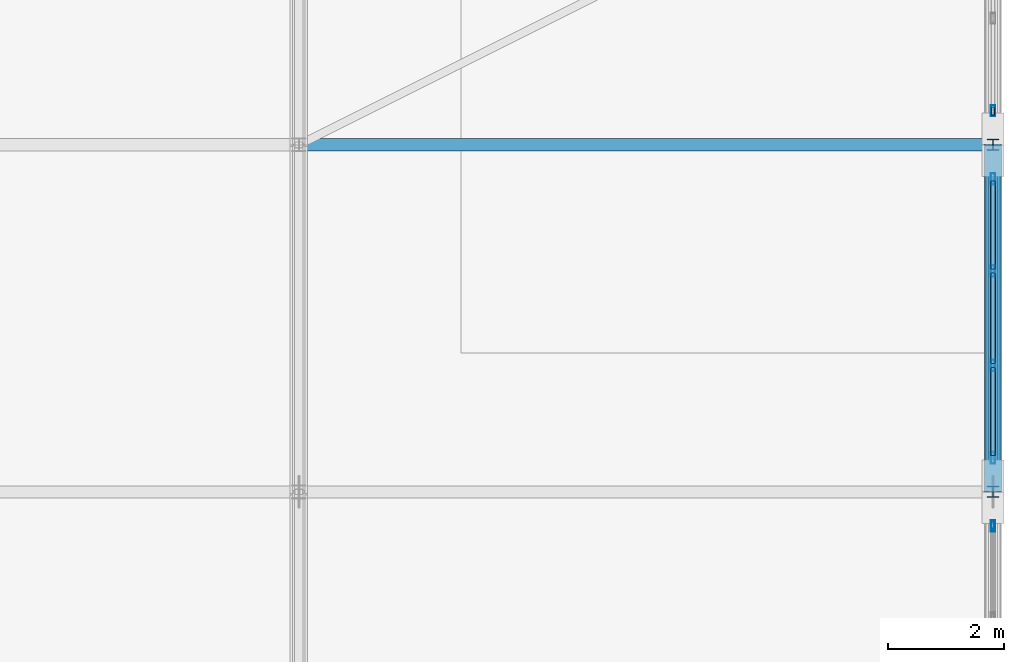
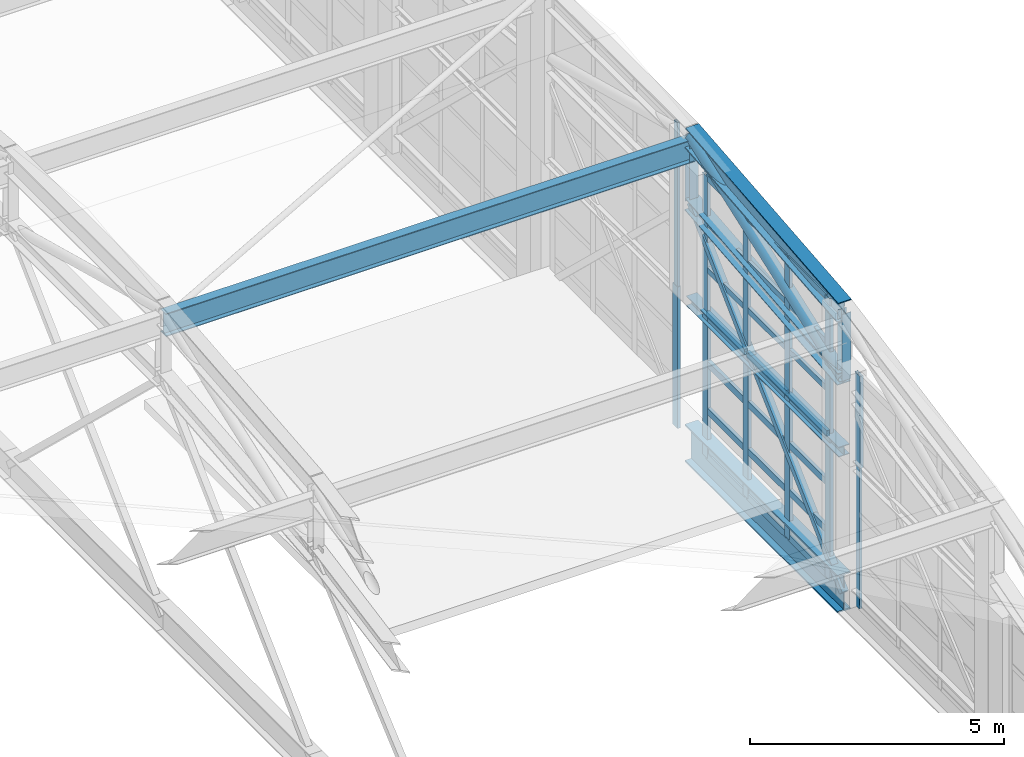
# One storey, part 134 of 204: 45 members, 6 elements without a shape of their own.
"""IFC4 building model written with IfcOpenShell, lengths in metres."""

from ifc_helpers import new_model, si_unit, direction, frame, origin, origin_2d, place, context, subcontext, project, spatial, hollow_rectangle, hollow_circle, i_section, extrude, material, layer, layer_set, material_profile, profile_set, type_object, element, aggregate, save


model = new_model("IFC4")

# Units and contexts
model_context = context("Model", 3, precision=1e-05, world=origin(), true_north=direction((0.0, 1.0)))
body_context = subcontext(model_context, "Body", "Model", "MODEL_VIEW")
ifc_project = project(units=[si_unit("LENGTHUNIT", "METRE"), si_unit("AREAUNIT", "SQUARE_METRE"), si_unit("VOLUMEUNIT", "CUBIC_METRE"), si_unit("PLANEANGLEUNIT", "RADIAN"), si_unit("MASSUNIT", "GRAM", prefix="KILO")], contexts=[model_context])

# Site, building, storey
site_placement = place(None, origin())
site = spatial("IfcSite", under=ifc_project, at=site_placement, CompositionType="ELEMENT")
building_placement = place(site_placement, origin())
building = spatial("IfcBuilding", under=site, at=building_placement, Name="Zilviju Railside Exhibition Hall", CompositionType="ELEMENT")
storey_placement = place(building_placement, frame((0.0, 0.0, 21.0)))
storey = spatial("IfcBuildingStorey", under=building, at=storey_placement, Name="RF", CompositionType="ELEMENT", Elevation=21.0)

# Curtain wall, member
ifc_material_1 = material(Name="Thermally broken aluminium-steel triple-glazed curtain wall", Category="steel")
ifc_layer_1 = layer(ifc_material_1, 0.179931640625)
ifc_layer_set_1 = layer_set([ifc_layer_1], Name="Thermally broken aluminium-steel triple-glazed curtain wall")
curtain_wall_type_1 = type_object("IfcCurtainWallType", Name="CW-BAY-04", PredefinedType="USERDEFINED", material=ifc_layer_set_1)
curtain_wall_1_placement = place(storey_placement, origin())
curtain_wall_1 = element("IfcCurtainWall", 1, at=curtain_wall_1_placement, inside=storey, type_object=curtain_wall_type_1, Name="North Hall Crown Arch Tympanum Glazing East P5", ObjectType="GLAZED CURTAIN WALL", PredefinedType="USERDEFINED")
ifc_material_2 = material(Name="Thermally broken anodized aluminium mullion", Category="aluminium")
ifc_material_profile_1 = material_profile(ifc_material_2, hollow_rectangle(XDim=0.054931640625, YDim=0.1298828125, WallThickness=0.0048828125, at=origin_2d()), Name="MULLION 130x55x5")
ifc_profile_set_1 = profile_set([ifc_material_profile_1], Name="Thermally broken anodized aluminium mullion")
member_type_1 = type_object("IfcMemberType", Name="CWM-55x130", PredefinedType="MULLION", material=ifc_profile_set_1)
member_1_placement = place(storey_placement, frame((216.0, 108.577392578125, -0.199951171875), z_axis=(0.0, 0.0, 1.0), x_axis=(1.0, 0.0, 0.0)))
member_1 = element("IfcMember", 2, at=member_1_placement, type_object=member_type_1, Name="CW-04 mullion 4", PredefinedType="MULLION", context=body_context, shape_type="SweptSolid", body=[
    extrude(hollow_rectangle(XDim=0.054931640625, YDim=0.1298828125, WallThickness=0.0048828125, at=origin_2d()), origin(), (0.0, 0.0, 1.0), 3.928466796875),
])
aggregate(curtain_wall_1, [member_1])

ifc_layer_2 = layer(ifc_material_1, 0.179931640625)
ifc_layer_set_2 = layer_set([ifc_layer_2], Name="Thermally broken aluminium-steel triple-glazed curtain wall")
curtain_wall_type_2 = type_object("IfcCurtainWallType", Name="CW-BAY-15", PredefinedType="USERDEFINED", material=ifc_layer_set_2)
curtain_wall_2_placement = place(storey_placement, origin())
curtain_wall_2 = element("IfcCurtainWall", 3, at=curtain_wall_2_placement, inside=storey, type_object=curtain_wall_type_2, Name="North Hall Arch Lower Tympanum Glazing East P3", ObjectType="GLAZED CURTAIN WALL", PredefinedType="USERDEFINED")
ifc_material_profile_2 = material_profile(ifc_material_2, hollow_rectangle(XDim=0.06005859375, YDim=0.139892578125, WallThickness=0.0048828125, at=origin_2d()), Name="MULLION 140x60x5")
ifc_profile_set_2 = profile_set([ifc_material_profile_2], Name="Thermally broken anodized aluminium mullion")
member_type_2 = type_object("IfcMemberType", Name="CWM-60x140", PredefinedType="MULLION", material=ifc_profile_set_2)
member_2_placement = place(storey_placement, frame((216.0, 101.419921875, -3.60009765625), z_axis=(0.0, 0.0, 1.0), x_axis=(1.0, 0.0, 0.0)))
member_2 = element("IfcMember", 4, at=member_2_placement, type_object=member_type_2, Name="CW-15 mullion 1", PredefinedType="MULLION", context=body_context, shape_type="SweptSolid", body=[
    extrude(hollow_rectangle(XDim=0.06005859375, YDim=0.139892578125, WallThickness=0.0048828125, at=origin_2d()), origin(), (0.0, 0.0, 1.0), 3.400146484375),
])
aggregate(curtain_wall_2, [member_2])

ifc_layer_3 = layer(ifc_material_1, 0.179931640625)
ifc_layer_set_3 = layer_set([ifc_layer_3], Name="Thermally broken aluminium-steel triple-glazed curtain wall")
curtain_wall_type_3 = type_object("IfcCurtainWallType", Name="CW-BAY-17", PredefinedType="USERDEFINED", material=ifc_layer_set_3)
curtain_wall_3_placement = place(storey_placement, origin())
curtain_wall_3 = element("IfcCurtainWall", 5, at=curtain_wall_3_placement, inside=storey, type_object=curtain_wall_type_3, Name="North Hall Arch Lower Tympanum Glazing East P5", ObjectType="GLAZED CURTAIN WALL", PredefinedType="USERDEFINED")
ifc_material_profile_3 = material_profile(ifc_material_2, hollow_rectangle(XDim=0.074951171875, YDim=0.18994140625, WallThickness=0.0048828125, at=origin_2d()), Name="MULLION 190x75x5")
ifc_profile_set_3 = profile_set([ifc_material_profile_3], Name="Thermally broken anodized aluminium mullion")
member_type_3 = type_object("IfcMemberType", Name="CWM-75x190", PredefinedType="MULLION", material=ifc_profile_set_3)
member_3_placement = place(storey_placement, frame((216.0, 108.58740234375, -3.60009765625), z_axis=(0.0, 0.0, 1.0), x_axis=(1.0, 0.0, 0.0)))
member_3 = element("IfcMember", 6, at=member_3_placement, type_object=member_type_3, Name="CW-17 mullion 4", PredefinedType="MULLION", context=body_context, shape_type="SweptSolid", body=[
    extrude(hollow_rectangle(XDim=0.074951171875, YDim=0.18994140625, WallThickness=0.0048828125, at=origin_2d()), origin(), (0.0, 0.0, 1.0), 3.400146484375),
])
aggregate(curtain_wall_3, [member_3])

# Curtain wall, members
ifc_layer_4 = layer(ifc_material_1, 0.179931640625)
ifc_layer_set_4 = layer_set([ifc_layer_4], Name="Thermally broken aluminium-steel triple-glazed curtain wall")
curtain_wall_type_4 = type_object("IfcCurtainWallType", Name="CW-BAY-03", PredefinedType="USERDEFINED", material=ifc_layer_set_4)
curtain_wall_4_placement = place(storey_placement, origin())
curtain_wall_4 = element("IfcCurtainWall", 7, at=curtain_wall_4_placement, inside=storey, type_object=curtain_wall_type_4, Name="North Hall Crown Arch Tympanum Glazing East P4", ObjectType="GLAZED CURTAIN WALL", PredefinedType="USERDEFINED")
member_4_placement = place(storey_placement, frame((216.0, 107.41259765625, -0.199951171875), z_axis=(0.0, 0.0, 1.0), x_axis=(1.0, 0.0, 0.0)))
member_4 = element("IfcMember", 8, at=member_4_placement, type_object=member_type_3, Name="CW-03 mullion 1", PredefinedType="MULLION", context=body_context, shape_type="SweptSolid", body=[
    extrude(hollow_rectangle(XDim=0.074951171875, YDim=0.18994140625, WallThickness=0.0048828125, at=origin_2d()), origin(), (0.0, 0.0, 1.0), 3.35546875),
])
member_5_placement = place(storey_placement, frame((216.0, 105.816650390625, -0.199951171875), z_axis=(0.0, 0.0, 1.0), x_axis=(1.0, 0.0, 0.0)))
member_5 = element("IfcMember", 9, at=member_5_placement, type_object=member_type_3, Name="CW-03 mullion 2", PredefinedType="MULLION", context=body_context, shape_type="SweptSolid", body=[
    extrude(hollow_rectangle(XDim=0.074951171875, YDim=0.18994140625, WallThickness=0.0048828125, at=origin_2d()), origin(), (0.0, 0.0, 1.0), 3.35546875),
])
member_6_placement = place(storey_placement, frame((216.0, 104.183349609375, -0.199951171875), z_axis=(0.0, 0.0, 1.0), x_axis=(1.0, 0.0, 0.0)))
member_6 = element("IfcMember", 10, at=member_6_placement, type_object=member_type_3, Name="CW-03 mullion 3", PredefinedType="MULLION", context=body_context, shape_type="SweptSolid", body=[
    extrude(hollow_rectangle(XDim=0.074951171875, YDim=0.18994140625, WallThickness=0.0048828125, at=origin_2d()), origin(), (0.0, 0.0, 1.0), 3.35546875),
])
member_7_placement = place(storey_placement, frame((216.0, 102.58740234375, -0.199951171875), z_axis=(0.0, 0.0, 1.0), x_axis=(1.0, 0.0, 0.0)))
member_7 = element("IfcMember", 11, at=member_7_placement, type_object=member_type_3, Name="CW-03 mullion 4", PredefinedType="MULLION", context=body_context, shape_type="SweptSolid", body=[
    extrude(hollow_rectangle(XDim=0.074951171875, YDim=0.18994140625, WallThickness=0.0048828125, at=origin_2d()), origin(), (0.0, 0.0, 1.0), 3.35546875),
])

ifc_layer_5 = layer(ifc_material_1, 0.179931640625)
ifc_layer_set_5 = layer_set([ifc_layer_5], Name="Thermally broken aluminium-steel triple-glazed curtain wall")
curtain_wall_type_5 = type_object("IfcCurtainWallType", Name="CW-BAY-16", PredefinedType="USERDEFINED", material=ifc_layer_set_5)
curtain_wall_5_placement = place(storey_placement, origin())
curtain_wall_5 = element("IfcCurtainWall", 12, at=curtain_wall_5_placement, inside=storey, type_object=curtain_wall_type_5, Name="North Hall Arch Lower Tympanum Glazing East P4", ObjectType="GLAZED CURTAIN WALL", PredefinedType="USERDEFINED")
ifc_material_profile_4 = material_profile(ifc_material_2, hollow_rectangle(XDim=0.080078125, YDim=0.199951171875, WallThickness=0.0048828125, at=origin_2d()), Name="MULLION 200x80x5")
ifc_profile_set_4 = profile_set([ifc_material_profile_4], Name="Thermally broken anodized aluminium mullion")
member_type_4 = type_object("IfcMemberType", Name="CWM-80x200", PredefinedType="MULLION", material=ifc_profile_set_4)
member_8_placement = place(storey_placement, frame((216.0, 107.409912109375, -3.60009765625), z_axis=(0.0, 0.0, 1.0), x_axis=(1.0, 0.0, 0.0)))
member_8 = element("IfcMember", 13, at=member_8_placement, type_object=member_type_4, Name="CW-16 mullion 1", PredefinedType="MULLION", context=body_context, shape_type="SweptSolid", body=[
    extrude(hollow_rectangle(XDim=0.080078125, YDim=0.199951171875, WallThickness=0.0048828125, at=origin_2d()), origin(), (0.0, 0.0, 1.0), 3.400146484375),
])
member_9_placement = place(storey_placement, frame((216.0, 105.816650390625, -3.60009765625), z_axis=(0.0, 0.0, 1.0), x_axis=(1.0, 0.0, 0.0)))
member_9 = element("IfcMember", 14, at=member_9_placement, type_object=member_type_4, Name="CW-16 mullion 2", PredefinedType="MULLION", context=body_context, shape_type="SweptSolid", body=[
    extrude(hollow_rectangle(XDim=0.080078125, YDim=0.199951171875, WallThickness=0.0048828125, at=origin_2d()), origin(), (0.0, 0.0, 1.0), 3.400146484375),
])
member_10_placement = place(storey_placement, frame((216.0, 104.183349609375, -3.60009765625), z_axis=(0.0, 0.0, 1.0), x_axis=(1.0, 0.0, 0.0)))
member_10 = element("IfcMember", 15, at=member_10_placement, type_object=member_type_4, Name="CW-16 mullion 3", PredefinedType="MULLION", context=body_context, shape_type="SweptSolid", body=[
    extrude(hollow_rectangle(XDim=0.080078125, YDim=0.199951171875, WallThickness=0.0048828125, at=origin_2d()), origin(), (0.0, 0.0, 1.0), 3.400146484375),
])
member_11_placement = place(storey_placement, frame((216.0, 102.590087890625, -3.60009765625), z_axis=(0.0, 0.0, 1.0), x_axis=(1.0, 0.0, 0.0)))
member_11 = element("IfcMember", 16, at=member_11_placement, type_object=member_type_4, Name="CW-16 mullion 4", PredefinedType="MULLION", context=body_context, shape_type="SweptSolid", body=[
    extrude(hollow_rectangle(XDim=0.080078125, YDim=0.199951171875, WallThickness=0.0048828125, at=origin_2d()), origin(), (0.0, 0.0, 1.0), 3.400146484375),
])

# Curtain wall, member
ifc_layer_6 = layer(ifc_material_1, 0.179931640625)
ifc_layer_set_6 = layer_set([ifc_layer_6], Name="Thermally broken aluminium-steel triple-glazed curtain wall")
curtain_wall_type_6 = type_object("IfcCurtainWallType", Name="CW-BAY-02", PredefinedType="USERDEFINED", material=ifc_layer_set_6)
curtain_wall_6_placement = place(storey_placement, origin())
curtain_wall_6 = element("IfcCurtainWall", 17, at=curtain_wall_6_placement, inside=storey, type_object=curtain_wall_type_6, Name="North Hall Crown Arch Tympanum Glazing East P3", ObjectType="GLAZED CURTAIN WALL", PredefinedType="USERDEFINED")
member_12_placement = place(storey_placement, frame((216.0, 101.409912109375, -0.199951171875), z_axis=(0.0, 0.0, 1.0), x_axis=(1.0, 0.0, 0.0)))
member_12 = element("IfcMember", 18, at=member_12_placement, type_object=member_type_4, Name="CW-02 mullion 1", PredefinedType="MULLION", context=body_context, shape_type="SweptSolid", body=[
    extrude(hollow_rectangle(XDim=0.080078125, YDim=0.199951171875, WallThickness=0.0048828125, at=origin_2d()), origin(), (0.0, 0.0, 1.0), 2.209716796875),
])
aggregate(curtain_wall_6, [member_12])

# Member
ifc_material_3 = material(Name="Thermally broken anodized aluminium transom", Category="aluminium")
ifc_material_profile_5 = material_profile(ifc_material_3, hollow_rectangle(XDim=0.074951171875, YDim=0.139892578125, WallThickness=0.0048828125, at=origin_2d()), Name="TRANSOM 140x75x5")
ifc_profile_set_5 = profile_set([ifc_material_profile_5], Name="Thermally broken anodized aluminium transom")
member_type_5 = type_object("IfcMemberType", Name="CWT-75x140", PredefinedType="USERDEFINED", material=ifc_profile_set_5)
member_13_placement = place(storey_placement, frame((216.0, 107.375, -0.16259765625), z_axis=(0.0, -1.0, 0.0), x_axis=(1.0, 0.0, 0.0)))
member_13 = element("IfcMember", 19, at=member_13_placement, type_object=member_type_5, Name="CW-03 transom 1.1", ObjectType="TRANSOM", PredefinedType="USERDEFINED", context=body_context, shape_type="SweptSolid", body=[
    extrude(hollow_rectangle(XDim=0.074951171875, YDim=0.139892578125, WallThickness=0.0048828125, at=origin_2d()), origin(), (0.0, 0.0, 1.0), 1.520751953125),
])

member_14_placement = place(storey_placement, frame((216.0, 107.375, 0.9189453125), z_axis=(0.0, -1.0, 0.0), x_axis=(1.0, 0.0, 0.0)))
member_14 = element("IfcMember", 20, at=member_14_placement, type_object=member_type_5, Name="CW-03 transom 1.2", ObjectType="TRANSOM", PredefinedType="USERDEFINED", context=body_context, shape_type="SweptSolid", body=[
    extrude(hollow_rectangle(XDim=0.074951171875, YDim=0.139892578125, WallThickness=0.0048828125, at=origin_2d()), origin(), (0.0, 0.0, 1.0), 1.520751953125),
])

member_15_placement = place(storey_placement, frame((216.0, 107.375, 2.037109375), z_axis=(0.0, -1.0, 0.0), x_axis=(1.0, 0.0, 0.0)))
member_15 = element("IfcMember", 21, at=member_15_placement, type_object=member_type_5, Name="CW-03 transom 1.3", ObjectType="TRANSOM", PredefinedType="USERDEFINED", context=body_context, shape_type="SweptSolid", body=[
    extrude(hollow_rectangle(XDim=0.074951171875, YDim=0.139892578125, WallThickness=0.0048828125, at=origin_2d()), origin(), (0.0, 0.0, 1.0), 1.520751953125),
])

member_16_placement = place(storey_placement, frame((216.0, 107.375, 3.1181640625), z_axis=(0.0, -1.0, 0.0), x_axis=(1.0, 0.0, 0.0)))
member_16 = element("IfcMember", 22, at=member_16_placement, type_object=member_type_5, Name="CW-03 transom 1.4", ObjectType="TRANSOM", PredefinedType="USERDEFINED", context=body_context, shape_type="SweptSolid", body=[
    extrude(hollow_rectangle(XDim=0.074951171875, YDim=0.139892578125, WallThickness=0.0048828125, at=origin_2d()), origin(), (0.0, 0.0, 1.0), 1.520751953125),
])

member_17_placement = place(storey_placement, frame((216.0, 105.779052734375, -0.16259765625), z_axis=(0.0, -1.0, 0.0), x_axis=(1.0, 0.0, 0.0)))
member_17 = element("IfcMember", 23, at=member_17_placement, type_object=member_type_5, Name="CW-03 transom 2.1", ObjectType="TRANSOM", PredefinedType="USERDEFINED", context=body_context, shape_type="SweptSolid", body=[
    extrude(hollow_rectangle(XDim=0.074951171875, YDim=0.139892578125, WallThickness=0.0048828125, at=origin_2d()), origin(), (0.0, 0.0, 1.0), 1.55810546875),
])

member_18_placement = place(storey_placement, frame((216.0, 105.779052734375, 0.9189453125), z_axis=(0.0, -1.0, 0.0), x_axis=(1.0, 0.0, 0.0)))
member_18 = element("IfcMember", 24, at=member_18_placement, type_object=member_type_5, Name="CW-03 transom 2.2", ObjectType="TRANSOM", PredefinedType="USERDEFINED", context=body_context, shape_type="SweptSolid", body=[
    extrude(hollow_rectangle(XDim=0.074951171875, YDim=0.139892578125, WallThickness=0.0048828125, at=origin_2d()), origin(), (0.0, 0.0, 1.0), 1.55810546875),
])

member_19_placement = place(storey_placement, frame((216.0, 105.779052734375, 2.037109375), z_axis=(0.0, -1.0, 0.0), x_axis=(1.0, 0.0, 0.0)))
member_19 = element("IfcMember", 25, at=member_19_placement, type_object=member_type_5, Name="CW-03 transom 2.3", ObjectType="TRANSOM", PredefinedType="USERDEFINED", context=body_context, shape_type="SweptSolid", body=[
    extrude(hollow_rectangle(XDim=0.074951171875, YDim=0.139892578125, WallThickness=0.0048828125, at=origin_2d()), origin(), (0.0, 0.0, 1.0), 1.55810546875),
])

member_20_placement = place(storey_placement, frame((216.0, 105.779052734375, 3.1181640625), z_axis=(0.0, -1.0, 0.0), x_axis=(1.0, 0.0, 0.0)))
member_20 = element("IfcMember", 26, at=member_20_placement, type_object=member_type_5, Name="CW-03 transom 2.4", ObjectType="TRANSOM", PredefinedType="USERDEFINED", context=body_context, shape_type="SweptSolid", body=[
    extrude(hollow_rectangle(XDim=0.074951171875, YDim=0.139892578125, WallThickness=0.0048828125, at=origin_2d()), origin(), (0.0, 0.0, 1.0), 1.55810546875),
])

member_21_placement = place(storey_placement, frame((216.0, 104.145751953125, -0.16259765625), z_axis=(0.0, -1.0, 0.0), x_axis=(1.0, 0.0, 0.0)))
member_21 = element("IfcMember", 27, at=member_21_placement, type_object=member_type_5, Name="CW-03 transom 3.1", ObjectType="TRANSOM", PredefinedType="USERDEFINED", context=body_context, shape_type="SweptSolid", body=[
    extrude(hollow_rectangle(XDim=0.074951171875, YDim=0.139892578125, WallThickness=0.0048828125, at=origin_2d()), origin(), (0.0, 0.0, 1.0), 1.520751953125),
])

member_22_placement = place(storey_placement, frame((216.0, 104.145751953125, 0.9189453125), z_axis=(0.0, -1.0, 0.0), x_axis=(1.0, 0.0, 0.0)))
member_22 = element("IfcMember", 28, at=member_22_placement, type_object=member_type_5, Name="CW-03 transom 3.2", ObjectType="TRANSOM", PredefinedType="USERDEFINED", context=body_context, shape_type="SweptSolid", body=[
    extrude(hollow_rectangle(XDim=0.074951171875, YDim=0.139892578125, WallThickness=0.0048828125, at=origin_2d()), origin(), (0.0, 0.0, 1.0), 1.520751953125),
])

member_23_placement = place(storey_placement, frame((216.0, 104.145751953125, 2.037109375), z_axis=(0.0, -1.0, 0.0), x_axis=(1.0, 0.0, 0.0)))
member_23 = element("IfcMember", 29, at=member_23_placement, type_object=member_type_5, Name="CW-03 transom 3.3", ObjectType="TRANSOM", PredefinedType="USERDEFINED", context=body_context, shape_type="SweptSolid", body=[
    extrude(hollow_rectangle(XDim=0.074951171875, YDim=0.139892578125, WallThickness=0.0048828125, at=origin_2d()), origin(), (0.0, 0.0, 1.0), 1.520751953125),
])

member_24_placement = place(storey_placement, frame((216.0, 104.145751953125, 3.1181640625), z_axis=(0.0, -1.0, 0.0), x_axis=(1.0, 0.0, 0.0)))
member_24 = element("IfcMember", 30, at=member_24_placement, type_object=member_type_5, Name="CW-03 transom 3.4", ObjectType="TRANSOM", PredefinedType="USERDEFINED", context=body_context, shape_type="SweptSolid", body=[
    extrude(hollow_rectangle(XDim=0.074951171875, YDim=0.139892578125, WallThickness=0.0048828125, at=origin_2d()), origin(), (0.0, 0.0, 1.0), 1.520751953125),
])

aggregate(curtain_wall_4, [member_4, member_5, member_6, member_7, member_13, member_14, member_15, member_16, member_17, member_18, member_19, member_20, member_21, member_22, member_23, member_24])

ifc_material_profile_6 = material_profile(ifc_material_3, hollow_rectangle(XDim=0.080078125, YDim=0.159912109375, WallThickness=0.0048828125, at=origin_2d()), Name="TRANSOM 160x80x5")
ifc_profile_set_6 = profile_set([ifc_material_profile_6], Name="Thermally broken anodized aluminium transom")
member_type_6 = type_object("IfcMemberType", Name="CWT-80x160", PredefinedType="USERDEFINED", material=ifc_profile_set_6)
member_25_placement = place(storey_placement, frame((216.0, 107.3701171875, -3.56005859375), z_axis=(0.0, -1.0, 0.0), x_axis=(1.0, 0.0, 0.0)))
member_25 = element("IfcMember", 31, at=member_25_placement, type_object=member_type_6, Name="CW-16 transom 1.1", ObjectType="TRANSOM", PredefinedType="USERDEFINED", context=body_context, shape_type="SweptSolid", body=[
    extrude(hollow_rectangle(XDim=0.080078125, YDim=0.159912109375, WallThickness=0.0048828125, at=origin_2d()), origin(), (0.0, 0.0, 1.0), 1.513427734375),
])

member_26_placement = place(storey_placement, frame((216.0, 107.3701171875, -2.467041015625), z_axis=(0.0, -1.0, 0.0), x_axis=(1.0, 0.0, 0.0)))
member_26 = element("IfcMember", 32, at=member_26_placement, type_object=member_type_6, Name="CW-16 transom 1.2", ObjectType="TRANSOM", PredefinedType="USERDEFINED", context=body_context, shape_type="SweptSolid", body=[
    extrude(hollow_rectangle(XDim=0.080078125, YDim=0.159912109375, WallThickness=0.0048828125, at=origin_2d()), origin(), (0.0, 0.0, 1.0), 1.513427734375),
])

member_27_placement = place(storey_placement, frame((216.0, 107.3701171875, -1.3330078125), z_axis=(0.0, -1.0, 0.0), x_axis=(1.0, 0.0, 0.0)))
member_27 = element("IfcMember", 33, at=member_27_placement, type_object=member_type_6, Name="CW-16 transom 1.3", ObjectType="TRANSOM", PredefinedType="USERDEFINED", context=body_context, shape_type="SweptSolid", body=[
    extrude(hollow_rectangle(XDim=0.080078125, YDim=0.159912109375, WallThickness=0.0048828125, at=origin_2d()), origin(), (0.0, 0.0, 1.0), 1.513427734375),
])

member_28_placement = place(storey_placement, frame((216.0, 107.3701171875, -0.239990234375), z_axis=(0.0, -1.0, 0.0), x_axis=(1.0, 0.0, 0.0)))
member_28 = element("IfcMember", 34, at=member_28_placement, type_object=member_type_6, Name="CW-16 transom 1.4", ObjectType="TRANSOM", PredefinedType="USERDEFINED", context=body_context, shape_type="SweptSolid", body=[
    extrude(hollow_rectangle(XDim=0.080078125, YDim=0.159912109375, WallThickness=0.0048828125, at=origin_2d()), origin(), (0.0, 0.0, 1.0), 1.513427734375),
])

member_29_placement = place(storey_placement, frame((216.0, 105.776611328125, -3.56005859375), z_axis=(0.0, -1.0, 0.0), x_axis=(1.0, 0.0, 0.0)))
member_29 = element("IfcMember", 35, at=member_29_placement, type_object=member_type_6, Name="CW-16 transom 2.1", ObjectType="TRANSOM", PredefinedType="USERDEFINED", context=body_context, shape_type="SweptSolid", body=[
    extrude(hollow_rectangle(XDim=0.080078125, YDim=0.159912109375, WallThickness=0.0048828125, at=origin_2d()), origin(), (0.0, 0.0, 1.0), 1.55322265625),
])

member_30_placement = place(storey_placement, frame((216.0, 105.776611328125, -2.467041015625), z_axis=(0.0, -1.0, 0.0), x_axis=(1.0, 0.0, 0.0)))
member_30 = element("IfcMember", 36, at=member_30_placement, type_object=member_type_6, Name="CW-16 transom 2.2", ObjectType="TRANSOM", PredefinedType="USERDEFINED", context=body_context, shape_type="SweptSolid", body=[
    extrude(hollow_rectangle(XDim=0.080078125, YDim=0.159912109375, WallThickness=0.0048828125, at=origin_2d()), origin(), (0.0, 0.0, 1.0), 1.55322265625),
])

member_31_placement = place(storey_placement, frame((216.0, 105.776611328125, -1.3330078125), z_axis=(0.0, -1.0, 0.0), x_axis=(1.0, 0.0, 0.0)))
member_31 = element("IfcMember", 37, at=member_31_placement, type_object=member_type_6, Name="CW-16 transom 2.3", ObjectType="TRANSOM", PredefinedType="USERDEFINED", context=body_context, shape_type="SweptSolid", body=[
    extrude(hollow_rectangle(XDim=0.080078125, YDim=0.159912109375, WallThickness=0.0048828125, at=origin_2d()), origin(), (0.0, 0.0, 1.0), 1.55322265625),
])

member_32_placement = place(storey_placement, frame((216.0, 105.776611328125, -0.239990234375), z_axis=(0.0, -1.0, 0.0), x_axis=(1.0, 0.0, 0.0)))
member_32 = element("IfcMember", 38, at=member_32_placement, type_object=member_type_6, Name="CW-16 transom 2.4", ObjectType="TRANSOM", PredefinedType="USERDEFINED", context=body_context, shape_type="SweptSolid", body=[
    extrude(hollow_rectangle(XDim=0.080078125, YDim=0.159912109375, WallThickness=0.0048828125, at=origin_2d()), origin(), (0.0, 0.0, 1.0), 1.55322265625),
])

member_33_placement = place(storey_placement, frame((216.0, 104.143310546875, -3.56005859375), z_axis=(0.0, -1.0, 0.0), x_axis=(1.0, 0.0, 0.0)))
member_33 = element("IfcMember", 39, at=member_33_placement, type_object=member_type_6, Name="CW-16 transom 3.1", ObjectType="TRANSOM", PredefinedType="USERDEFINED", context=body_context, shape_type="SweptSolid", body=[
    extrude(hollow_rectangle(XDim=0.080078125, YDim=0.159912109375, WallThickness=0.0048828125, at=origin_2d()), origin(), (0.0, 0.0, 1.0), 1.513427734375),
])

member_34_placement = place(storey_placement, frame((216.0, 104.143310546875, -2.467041015625), z_axis=(0.0, -1.0, 0.0), x_axis=(1.0, 0.0, 0.0)))
member_34 = element("IfcMember", 40, at=member_34_placement, type_object=member_type_6, Name="CW-16 transom 3.2", ObjectType="TRANSOM", PredefinedType="USERDEFINED", context=body_context, shape_type="SweptSolid", body=[
    extrude(hollow_rectangle(XDim=0.080078125, YDim=0.159912109375, WallThickness=0.0048828125, at=origin_2d()), origin(), (0.0, 0.0, 1.0), 1.513427734375),
])

member_35_placement = place(storey_placement, frame((216.0, 104.143310546875, -1.3330078125), z_axis=(0.0, -1.0, 0.0), x_axis=(1.0, 0.0, 0.0)))
member_35 = element("IfcMember", 41, at=member_35_placement, type_object=member_type_6, Name="CW-16 transom 3.3", ObjectType="TRANSOM", PredefinedType="USERDEFINED", context=body_context, shape_type="SweptSolid", body=[
    extrude(hollow_rectangle(XDim=0.080078125, YDim=0.159912109375, WallThickness=0.0048828125, at=origin_2d()), origin(), (0.0, 0.0, 1.0), 1.513427734375),
])

member_36_placement = place(storey_placement, frame((216.0, 104.143310546875, -0.239990234375), z_axis=(0.0, -1.0, 0.0), x_axis=(1.0, 0.0, 0.0)))
member_36 = element("IfcMember", 42, at=member_36_placement, type_object=member_type_6, Name="CW-16 transom 3.4", ObjectType="TRANSOM", PredefinedType="USERDEFINED", context=body_context, shape_type="SweptSolid", body=[
    extrude(hollow_rectangle(XDim=0.080078125, YDim=0.159912109375, WallThickness=0.0048828125, at=origin_2d()), origin(), (0.0, 0.0, 1.0), 1.513427734375),
])

aggregate(curtain_wall_5, [member_8, member_9, member_10, member_11, member_25, member_26, member_27, member_28, member_29, member_30, member_31, member_32, member_33, member_34, member_35, member_36])

# Members
ifc_material_4 = material(Name="Steel S355ML", Category="steel")
ifc_material_profile_7 = material_profile(ifc_material_4, hollow_circle(Radius=0.136474609375, WallThickness=0.012451171875, at=origin_2d()), Name="CHS 273.0x12.5")
ifc_profile_set_7 = profile_set([ifc_material_profile_7], Name="Steel S355ML")
member_type_7 = type_object("IfcMemberType", Name="TR-BR-CHS273", PredefinedType="BRACE", material=ifc_profile_set_7)
member_37_placement = place(storey_placement, frame((216.0, 102.0, 1.5556640625), z_axis=(0.0, 0.940243888255, 0.340501733621), x_axis=(-1.0, 0.0, 0.0)))
element("IfcMember", 43, at=member_37_placement, inside=storey, type_object=member_type_7, Name="V2 Parabolic Arch Web Diagonal X=216.0 P4", PredefinedType="BRACE", context=body_context, shape_type="SweptSolid", body=[
    extrude(hollow_circle(Radius=0.136474609375, WallThickness=0.012451171875, at=origin_2d()), origin(), (0.0, 0.0, 1.0), 6.38134765625),
])
ifc_material_5 = material(Name="Steel S355J2", Category="steel")
ifc_material_profile_8 = material_profile(ifc_material_5, i_section(OverallWidth=0.239990234375, OverallDepth=0.239990234375, WebThickness=0.010009765625, FlangeThickness=0.01708984375, at=origin_2d()), Name="HEB 240")
ifc_profile_set_8 = profile_set([ifc_material_profile_8], Name="Steel S355J2")
member_type_8 = type_object("IfcMemberType", Name="TR-CH-HEB240", PredefinedType="CHORD", material=ifc_profile_set_8)
member_38_placement = place(storey_placement, frame((216.0, 102.0, -0.199951171875), z_axis=(0.0, 1.0, 0.0), x_axis=(-1.0, 0.0, 0.0)))
element("IfcMember", 44, at=member_38_placement, inside=storey, type_object=member_type_8, Name="V2 Crown Gable Transom X=216.0 (102..108)", PredefinedType="CHORD", context=body_context, shape_type="SweptSolid", body=[
    extrude(i_section(OverallWidth=0.239990234375, OverallDepth=0.239990234375, WebThickness=0.010009765625, FlangeThickness=0.01708984375, at=origin_2d()), origin(), (0.0, 0.0, 1.0), 6.0),
])
ifc_material_profile_9 = material_profile(ifc_material_4, i_section(OverallWidth=0.300048828125, OverallDepth=0.300048828125, WebThickness=0.010986328125, FlangeThickness=0.01904296875, at=origin_2d()), Name="HEB 300")
ifc_profile_set_9 = profile_set([ifc_material_profile_9], Name="Steel S355ML")
member_type_9 = type_object("IfcMemberType", Name="TR-CH-HEB300", PredefinedType="CHORD", material=ifc_profile_set_9)
member_39_placement = place(storey_placement, frame((216.0, 102.0, 1.5556640625), z_axis=(0.0, 0.995474695123, 0.095027003367), x_axis=(-1.0, 0.0, 0.0)))
element("IfcMember", 45, at=member_39_placement, inside=storey, type_object=member_type_9, Name="V2 Parabolic Arch Bottom Chord X=216.0 P4", PredefinedType="CHORD", context=body_context, shape_type="SweptSolid", body=[
    extrude(i_section(OverallWidth=0.300048828125, OverallDepth=0.300048828125, WebThickness=0.010986328125, FlangeThickness=0.01904296875, at=origin_2d()), origin(), (0.0, 0.0, 1.0), 6.02734375),
])
ifc_material_profile_10 = material_profile(ifc_material_4, i_section(OverallWidth=0.300048828125, OverallDepth=0.5, WebThickness=0.014404296875, FlangeThickness=0.028076171875, at=origin_2d()), Name="HEB 500")
ifc_profile_set_10 = profile_set([ifc_material_profile_10], Name="Steel S355ML")
member_type_10 = type_object("IfcMemberType", Name="TR-CH-HEB500-ML", PredefinedType="CHORD", material=ifc_profile_set_10)
member_40_placement = place(storey_placement, frame((216.0, 102.0, 3.155517578125), z_axis=(0.0, 0.995470862587, 0.095067143331), x_axis=(-1.0, 0.0, 0.0)))
element("IfcMember", 46, at=member_40_placement, inside=storey, type_object=member_type_10, Name="V2 Parabolic Arch Top Chord X=216.0 P4", PredefinedType="CHORD", context=body_context, shape_type="SweptSolid", body=[
    extrude(i_section(OverallWidth=0.300048828125, OverallDepth=0.5, WebThickness=0.014404296875, FlangeThickness=0.028076171875, at=origin_2d()), origin(), (0.0, 0.0, 1.0), 6.02734375),
])
ifc_material_profile_11 = material_profile(ifc_material_4, i_section(OverallWidth=0.199951171875, OverallDepth=0.18994140625, WebThickness=0.006591796875, FlangeThickness=0.010009765625, at=origin_2d()), Name="HEA 200")
ifc_profile_set_11 = profile_set([ifc_material_profile_11], Name="Steel S355ML")
member_type_11 = type_object("IfcMemberType", Name="TR-POST-HEA200", PredefinedType="POST", material=ifc_profile_set_11)
member_41_placement = place(storey_placement, frame((216.0, 102.0, 1.5556640625), z_axis=(0.0, 0.0, 1.0), x_axis=(1.0, 0.0, 0.0)))
element("IfcMember", 47, at=member_41_placement, inside=storey, type_object=member_type_11, Name="V2 Parabolic Arch Web Post X=216.0 N3", PredefinedType="POST", context=body_context, shape_type="SweptSolid", body=[
    extrude(i_section(OverallWidth=0.199951171875, OverallDepth=0.18994140625, WebThickness=0.006591796875, FlangeThickness=0.010009765625, at=origin_2d()), origin(), (0.0, 0.0, 1.0), 1.599853515625),
])
member_42_placement = place(storey_placement, frame((216.0, 108.0, 2.12841796875), z_axis=(0.0, 0.0, 1.0), x_axis=(1.0, 0.0, 0.0)))
element("IfcMember", 48, at=member_42_placement, inside=storey, type_object=member_type_11, Name="V2 Parabolic Arch Web Post X=216.0 N4", PredefinedType="POST", context=body_context, shape_type="SweptSolid", body=[
    extrude(i_section(OverallWidth=0.199951171875, OverallDepth=0.18994140625, WebThickness=0.006591796875, FlangeThickness=0.010009765625, at=origin_2d()), origin(), (0.0, 0.0, 1.0), 1.60009765625),
])
ifc_material_profile_12 = material_profile(ifc_material_5, hollow_rectangle(XDim=0.14990234375, YDim=0.14990234375, WallThickness=0.008056640625, at=origin_2d()), Name="SHS 150x150x8.0")
ifc_profile_set_12 = profile_set([ifc_material_profile_12], Name="Steel S355J2")
member_type_12 = type_object("IfcMemberType", Name="TR-POST-SHS150", PredefinedType="POST", material=ifc_profile_set_12)
member_43_placement = place(storey_placement, frame((216.0, 102.0, -3.60009765625), z_axis=(0.0, 0.723280707221, 0.690554138763), x_axis=(-1.0, 0.0, 0.0)))
element("IfcMember", 49, at=member_43_placement, inside=storey, type_object=member_type_12, Name="V2 Arch Tie Hanger X=216.0 N3", PredefinedType="POST", context=body_context, shape_type="SweptSolid", body=[
    extrude(hollow_rectangle(XDim=0.14990234375, YDim=0.14990234375, WallThickness=0.008056640625, at=origin_2d()), origin(), (0.0, 0.0, 1.0), 8.295654296875),
])
ifc_material_profile_13 = material_profile(ifc_material_5, i_section(OverallWidth=0.2099609375, OverallDepth=0.550048828125, WebThickness=0.010986328125, FlangeThickness=0.01708984375, at=origin_2d()), Name="IPE 550")
ifc_profile_set_13 = profile_set([ifc_material_profile_13], Name="Steel S355J2")
member_type_13 = type_object("IfcMemberType", Name="TR-PUR-IPE550", PredefinedType="PURLIN", material=ifc_profile_set_13)
member_44_placement = place(storey_placement, frame((204.0, 108.0, 3.4326171875), z_axis=(1.0, 0.0, 0.0), x_axis=(0.0, 1.0, 0.0)))
element("IfcMember", 50, at=member_44_placement, inside=storey, type_object=member_type_13, Name="V2 Barrel Vault Roof Purlin Y=108.0 (204.0..216.0)", PredefinedType="PURLIN", context=body_context, shape_type="SweptSolid", body=[
    extrude(i_section(OverallWidth=0.2099609375, OverallDepth=0.550048828125, WebThickness=0.010986328125, FlangeThickness=0.01708984375, at=origin_2d()), origin(), (0.0, 0.0, 1.0), 12.0),
])
ifc_material_profile_14 = material_profile(ifc_material_5, i_section(OverallWidth=0.300048828125, OverallDepth=0.89990234375, WebThickness=0.0185546875, FlangeThickness=0.034912109375, at=origin_2d()), Name="HEB 900")
ifc_profile_set_14 = profile_set([ifc_material_profile_14], Name="Steel S355J2")
member_type_14 = type_object("IfcMemberType", Name="TR-TIE-HEB900", PredefinedType="CHORD", material=ifc_profile_set_14)
member_45_placement = place(storey_placement, frame((216.0, 102.0, -3.60009765625), z_axis=(0.0, 1.0, 0.0), x_axis=(-1.0, 0.0, 0.0)))
element("IfcMember", 51, at=member_45_placement, inside=storey, type_object=member_type_14, Name="V2 Arch Tie Member X=216.0", PredefinedType="CHORD", context=body_context, shape_type="SweptSolid", body=[
    extrude(i_section(OverallWidth=0.300048828125, OverallDepth=0.89990234375, WebThickness=0.0185546875, FlangeThickness=0.034912109375, at=origin_2d()), origin(), (0.0, 0.0, 1.0), 6.0),
])

save(model, "model.ifc")
